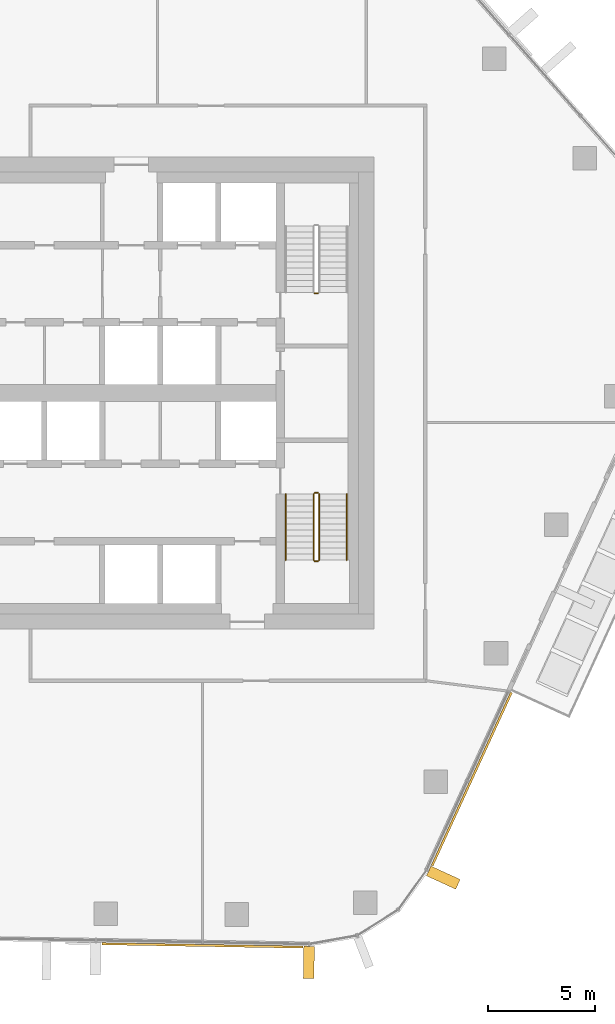
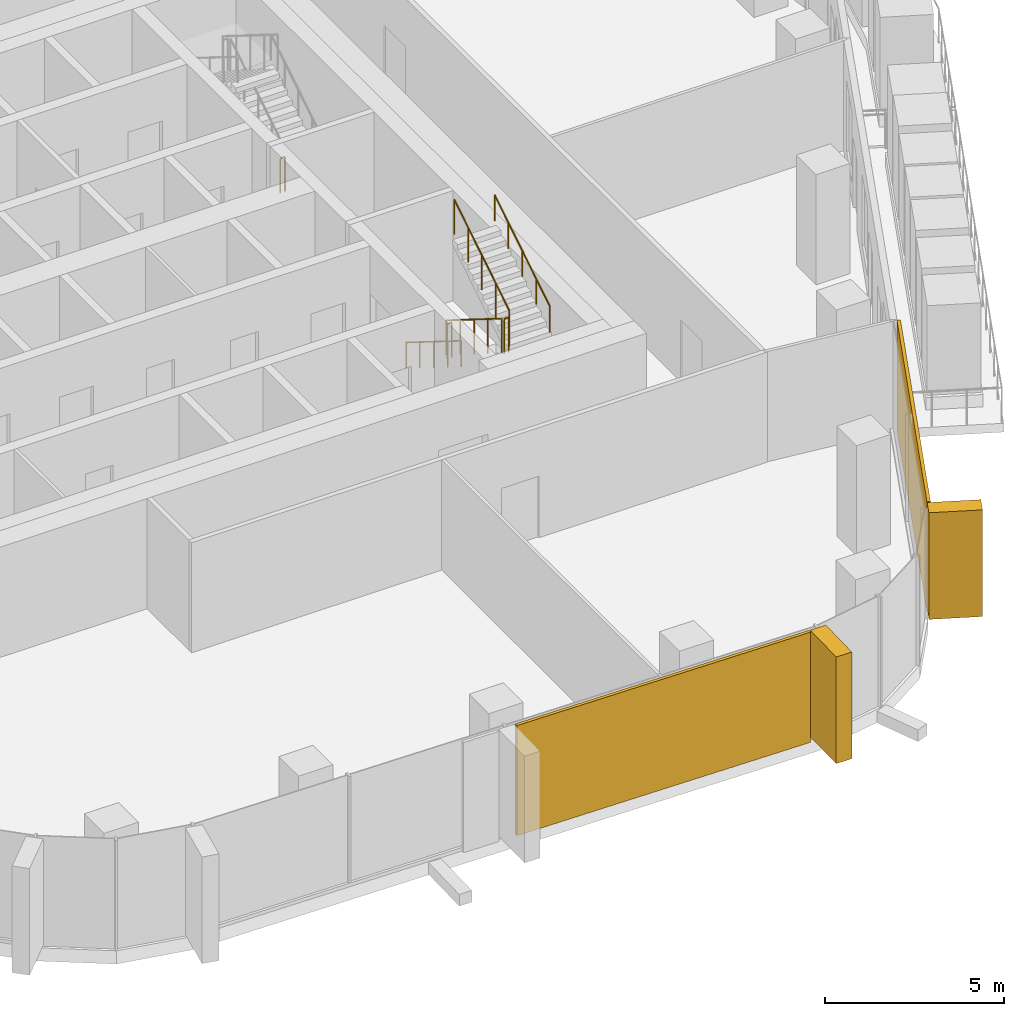
# One storey, part 17 of 21: 7 railings, 4 coverings, 2 elements without a shape of their own.
"""IFC4 building model written with IfcOpenShell, lengths in metres."""

from ifc_helpers import new_model, si_unit, direction, frame, origin, origin_2d, place, context, subcontext, project, spatial, rectangle, circle, extrude, material, layer, layer_set, material_profile, profile_set, type_object, element, aggregate, save


model = new_model("IFC4")

# Units and contexts
model_context = context("Model", 3, precision=1e-05, world=origin(), true_north=direction((0.0, 1.0)))
body_context = subcontext(model_context, "Body", "Model", "MODEL_VIEW")
ifc_project = project(units=[si_unit("LENGTHUNIT", "METRE"), si_unit("AREAUNIT", "SQUARE_METRE"), si_unit("VOLUMEUNIT", "CUBIC_METRE"), si_unit("PLANEANGLEUNIT", "RADIAN"), si_unit("MASSUNIT", "GRAM", prefix="KILO")], contexts=[model_context])

# Site, building, storey
site_placement = place(None, origin())
site = spatial("IfcSite", under=ifc_project, at=site_placement, CompositionType="ELEMENT")
building_placement = place(site_placement, origin())
building = spatial("IfcBuilding", under=site, at=building_placement, Name="Dongbaek Canopy Tower", CompositionType="ELEMENT")
storey_placement = place(building_placement, frame((0.0, 0.0, 232.800048828125)))
storey = spatial("IfcBuildingStorey", under=building, at=storey_placement, Name="L48", CompositionType="ELEMENT", Elevation=232.800048828125)

# Curtain wall, covering
ifc_material_1 = material(Name="Aluminium 6063-T6 pale anodised", Category="aluminium")
ifc_layer_1 = layer(ifc_material_1, 0.199951171875)
ifc_layer_set_1 = layer_set([ifc_layer_1], Name="CW-1 unitised tower curtain wall")
curtain_wall_type = type_object("IfcCurtainWallType", Name="CW-1 unitised tower curtain wall", PredefinedType="NOTDEFINED", material=ifc_layer_set_1)
curtain_wall_1_placement = place(storey_placement, origin())
curtain_wall_1 = element("IfcCurtainWall", 1, at=curtain_wall_1_placement, inside=storey, type_object=curtain_wall_type, Name="CW-1 curtain wall F4.1", PredefinedType="NOTDEFINED")
ifc_material_2 = material(Name="Perforated aluminium 6063-T6 pale metal screen", Category="aluminium")
ifc_layer_2 = layer(ifc_material_2, 0.10009765625)
ifc_layer_set_2 = layer_set([ifc_layer_2], Name="Facet screen FS1 100 pale metal")
covering_type_1 = type_object("IfcCoveringType", Name="Facet screen FS1 100 pale metal", PredefinedType="CLADDING", material=ifc_layer_set_2)
covering_1_placement = place(storey_placement, frame((6.018310546875, -25.74169921875, 0.0), z_axis=(0.0, 0.0, 1.0), x_axis=(0.999855600853, -0.016993452933, 0.0)))
covering_1 = element("IfcCovering", 2, at=covering_1_placement, type_object=covering_type_1, Name="Facet screen L48 F4", PredefinedType="CLADDING", context=body_context, shape_type="SweptSolid", body=[
    extrude(rectangle(XDim=9.3603515625, YDim=0.10009765625, at=origin_2d()), origin(), (0.0, 0.0, 1.0), 3.75),
])

curtain_wall_2_placement = place(storey_placement, origin())
curtain_wall_2 = element("IfcCurtainWall", 3, at=curtain_wall_2_placement, inside=storey, type_object=curtain_wall_type, Name="CW-1 curtain wall F5.1", PredefinedType="NOTDEFINED")
covering_2_placement = place(storey_placement, frame((18.5693359375, -17.988525390625, 0.0), z_axis=(0.0, 0.0, 1.0), x_axis=(0.416112572001, 0.909313107473, 0.0)))
covering_2 = element("IfcCovering", 4, at=covering_2_placement, type_object=covering_type_1, Name="Facet screen L48 F5", PredefinedType="CLADDING", context=body_context, shape_type="SweptSolid", body=[
    extrude(rectangle(XDim=8.876708984375, YDim=0.10009765625, at=origin_2d()), origin(), (0.0, 0.0, 1.0), 3.75),
])

# Covering
ifc_material_3 = material(Name="Aluminium 6063-T6 pale metal fin", Category="aluminium")
ifc_material_profile = material_profile(ifc_material_3, rectangle(XDim=1.5, YDim=0.5, at=origin_2d()), Name="Fin FN1 500 x 1500 pale metal")
ifc_profile_set = profile_set([ifc_material_profile], Name="Aluminium 6063-T6 pale metal fin")
covering_type_2 = type_object("IfcCoveringType", Name="Fin FN1 500 x 1500 pale metal", PredefinedType="CLADDING", material=ifc_profile_set)
covering_3_placement = place(storey_placement, frame((10.975830078125, -26.530029296875, 0.119873046875), z_axis=(0.0, 0.0, 1.0), x_axis=(-0.016993149743, -0.999855606006, 0.0)))
covering_3 = element("IfcCovering", 5, at=covering_3_placement, type_object=covering_type_2, Name="Fin F4.1.5", PredefinedType="CLADDING", context=body_context, shape_type="SweptSolid", body=[
    extrude(rectangle(XDim=1.5, YDim=0.5, at=origin_2d()), origin(), (0.0, 0.0, 1.0), 3.630126953125),
])

aggregate(curtain_wall_1, [covering_3, covering_1])

covering_4_placement = place(storey_placement, frame((17.241943359375, -22.5810546875, 0.119873046875), z_axis=(0.0, 0.0, 1.0), x_axis=(0.909313119282, -0.416112546196, 0.0)))
covering_4 = element("IfcCovering", 6, at=covering_4_placement, type_object=covering_type_2, Name="Fin F5.1.1", PredefinedType="CLADDING", context=body_context, shape_type="SweptSolid", body=[
    extrude(rectangle(XDim=1.5, YDim=0.5, at=origin_2d()), origin(), (0.0, 0.0, 1.0), 3.630126953125),
])

aggregate(curtain_wall_2, [covering_4, covering_2])

# Railings
ifc_material_4 = material(Name="Stainless steel tube and balusters", Category="steel")
railing_type_1 = type_object("IfcRailingType", Name="Stair guard 1200", PredefinedType="GUARDRAIL", material=ifc_material_4)
railing_1_placement = place(storey_placement, frame((11.39990234375, 4.64990234375, 0.0)))
element("IfcRailing", 7, at=railing_1_placement, inside=storey, type_object=railing_type_1, Name="L48 ST-A stair guard 4", PredefinedType="GUARDRAIL", context=body_context, shape_type="SweptSolid", body=[
    extrude(circle(Radius=0.02392578125, at=origin_2d()), frame((0.0, 0.0, 1.17578125), z_axis=(-1.0, 0.0, 0.0), x_axis=(0.0, -1.0, 0.0)), (0.0, 0.0, 1.0), 0.14990234375),
    extrude(circle(Radius=0.02099609375, at=origin_2d()), origin(), (0.0, 0.0, 1.0), 1.15185546875),
    extrude(circle(Radius=0.02099609375, at=origin_2d()), frame((-0.14990234375, 0.0, 0.0)), (0.0, 0.0, 1.0), 1.15185546875),
])
railing_2_placement = place(storey_placement, frame((11.199951171875, -4.699951171875, 0.175048828125)))
element("IfcRailing", 8, at=railing_2_placement, inside=storey, type_object=railing_type_1, Name="L48 ST-B stair guard 1", PredefinedType="GUARDRAIL", context=body_context, shape_type="SweptSolid", body=[
    extrude(circle(Radius=0.02392578125, at=origin_2d()), frame((0.0, 0.0, 1.17578125), z_axis=(0.0, -0.848028513186, 0.529950602248), x_axis=(1.0, 0.0, 0.0)), (0.0, 0.0, 1.0), 3.632080078125),
    extrude(circle(Radius=0.02099609375, at=origin_2d()), origin(), (0.0, 0.0, 1.0), 1.15185546875),
    extrude(circle(Radius=0.02099609375, at=origin_2d()), frame((0.0, -0.77001953125, 0.481201171875)), (0.0, 0.0, 1.0), 1.15185546875),
    extrude(circle(Radius=0.02099609375, at=origin_2d()), frame((0.0, -1.5400390625, 0.96240234375)), (0.0, 0.0, 1.0), 1.15185546875),
    extrude(circle(Radius=0.02099609375, at=origin_2d()), frame((0.0, -2.31005859375, 1.443603515625)), (0.0, 0.0, 1.0), 1.15185546875),
    extrude(circle(Radius=0.02099609375, at=origin_2d()), frame((0.0, -3.080078125, 1.9248046875)), (0.0, 0.0, 1.0), 1.15185546875),
])
railing_3_placement = place(storey_placement, frame((11.25, -7.830078125, 2.099853515625)))
element("IfcRailing", 9, at=railing_3_placement, inside=storey, type_object=railing_type_1, Name="L48 ST-B stair guard 2", PredefinedType="GUARDRAIL", context=body_context, shape_type="SweptSolid", body=[
    extrude(circle(Radius=0.02392578125, at=origin_2d()), frame((0.0, 0.0, 1.17578125), z_axis=(1.0, 0.0, 0.0), x_axis=(0.0, 1.0, 0.0)), (0.0, 0.0, 1.0), 0.14990234375),
    extrude(circle(Radius=0.02099609375, at=origin_2d()), origin(), (0.0, 0.0, 1.0), 1.15185546875),
    extrude(circle(Radius=0.02099609375, at=origin_2d()), frame((0.14990234375, 0.0, 0.0)), (0.0, 0.0, 1.0), 1.15185546875),
])
railing_4_placement = place(storey_placement, frame((11.449951171875, -7.780029296875, 2.27490234375)))
element("IfcRailing", 10, at=railing_4_placement, inside=storey, type_object=railing_type_1, Name="L48 ST-B stair guard 3", PredefinedType="GUARDRAIL", context=body_context, shape_type="SweptSolid", body=[
    extrude(circle(Radius=0.02392578125, at=origin_2d()), frame((0.0, 0.0, 1.17578125), z_axis=(0.0, 0.847998304005, 0.529998940003), x_axis=(-1.0, 0.0, 0.0)), (0.0, 0.0, 1.0), 3.632080078125),
    extrude(circle(Radius=0.02099609375, at=origin_2d()), origin(), (0.0, 0.0, 1.0), 1.15185546875),
    extrude(circle(Radius=0.02099609375, at=origin_2d()), frame((0.0, 0.77001953125, 0.481201171875)), (0.0, 0.0, 1.0), 1.15185546875),
    extrude(circle(Radius=0.02099609375, at=origin_2d()), frame((0.0, 1.5400390625, 0.96240234375)), (0.0, 0.0, 1.0), 1.15185546875),
    extrude(circle(Radius=0.02099609375, at=origin_2d()), frame((0.0, 2.31005859375, 1.44384765625)), (0.0, 0.0, 1.0), 1.15185546875),
    extrude(circle(Radius=0.02099609375, at=origin_2d()), frame((0.0, 3.080078125, 1.925048828125)), (0.0, 0.0, 1.0), 1.15185546875),
])
railing_5_placement = place(storey_placement, frame((11.25, -4.64990234375, 0.0)))
element("IfcRailing", 11, at=railing_5_placement, inside=storey, type_object=railing_type_1, Name="L48 ST-B stair guard 4", PredefinedType="GUARDRAIL", context=body_context, shape_type="SweptSolid", body=[
    extrude(circle(Radius=0.02392578125, at=origin_2d()), frame((0.0, 0.0, 1.17578125), z_axis=(1.0, 0.0, 0.0), x_axis=(0.0, 1.0, 0.0)), (0.0, 0.0, 1.0), 0.14990234375),
    extrude(circle(Radius=0.02099609375, at=origin_2d()), origin(), (0.0, 0.0, 1.0), 1.15185546875),
    extrude(circle(Radius=0.02099609375, at=origin_2d()), frame((0.14990234375, 0.0, 0.0)), (0.0, 0.0, 1.0), 1.15185546875),
])
ifc_material_5 = material(Name="Stainless steel tube", Category="steel")
railing_type_2 = type_object("IfcRailingType", Name="Stair handrail 900", PredefinedType="HANDRAIL", material=ifc_material_5)
railing_6_placement = place(storey_placement, frame((9.89990234375, -4.699951171875, 0.175048828125)))
element("IfcRailing", 12, at=railing_6_placement, inside=storey, type_object=railing_type_2, Name="L48 ST-B stair handrail 1", PredefinedType="HANDRAIL", context=body_context, shape_type="SweptSolid", body=[
    extrude(circle(Radius=0.02392578125, at=origin_2d()), frame((0.0, 0.0, 0.8759765625), z_axis=(0.0, -0.848028513186, 0.529950602248), x_axis=(1.0, 0.0, 0.0)), (0.0, 0.0, 1.0), 3.632080078125),
    extrude(circle(Radius=0.02099609375, at=origin_2d()), origin(), (0.0, 0.0, 1.0), 0.851806640625),
    extrude(circle(Radius=0.02099609375, at=origin_2d()), frame((0.0, -0.77001953125, 0.481201171875)), (0.0, 0.0, 1.0), 0.851806640625),
    extrude(circle(Radius=0.02099609375, at=origin_2d()), frame((0.0, -1.5400390625, 0.96240234375)), (0.0, 0.0, 1.0), 0.851806640625),
    extrude(circle(Radius=0.02099609375, at=origin_2d()), frame((0.0, -2.31005859375, 1.443603515625)), (0.0, 0.0, 1.0), 0.851806640625),
    extrude(circle(Radius=0.02099609375, at=origin_2d()), frame((0.0, -3.080078125, 1.9248046875)), (0.0, 0.0, 1.0), 0.851806640625),
])
railing_7_placement = place(storey_placement, frame((12.75, -7.780029296875, 2.27490234375)))
element("IfcRailing", 13, at=railing_7_placement, inside=storey, type_object=railing_type_2, Name="L48 ST-B stair handrail 2", PredefinedType="HANDRAIL", context=body_context, shape_type="SweptSolid", body=[
    extrude(circle(Radius=0.02392578125, at=origin_2d()), frame((0.0, 0.0, 0.8759765625), z_axis=(0.0, 0.847998304005, 0.529998940003), x_axis=(-1.0, 0.0, 0.0)), (0.0, 0.0, 1.0), 3.632080078125),
    extrude(circle(Radius=0.02099609375, at=origin_2d()), origin(), (0.0, 0.0, 1.0), 0.851806640625),
    extrude(circle(Radius=0.02099609375, at=origin_2d()), frame((0.0, 0.77001953125, 0.481201171875)), (0.0, 0.0, 1.0), 0.851806640625),
    extrude(circle(Radius=0.02099609375, at=origin_2d()), frame((0.0, 1.5400390625, 0.96240234375)), (0.0, 0.0, 1.0), 0.851806640625),
    extrude(circle(Radius=0.02099609375, at=origin_2d()), frame((0.0, 2.31005859375, 1.44384765625)), (0.0, 0.0, 1.0), 0.851806640625),
    extrude(circle(Radius=0.02099609375, at=origin_2d()), frame((0.0, 3.080078125, 1.925048828125)), (0.0, 0.0, 1.0), 0.851806640625),
])

save(model, "model.ifc")
